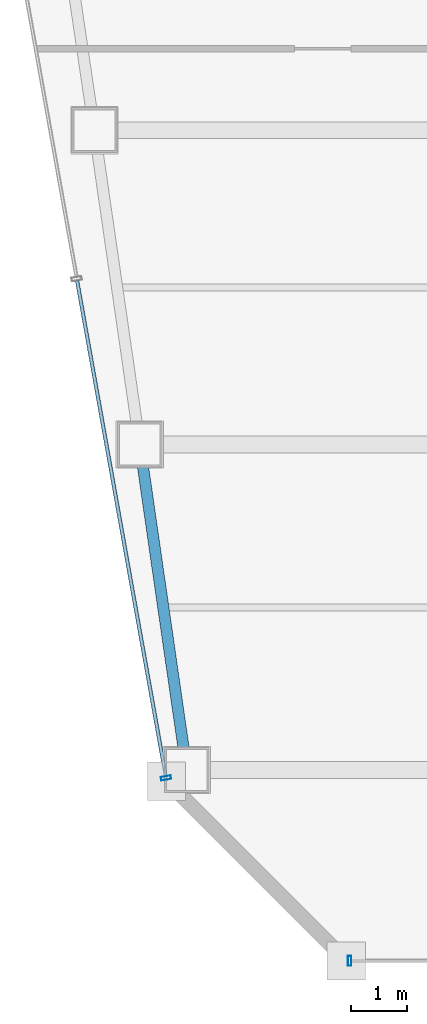
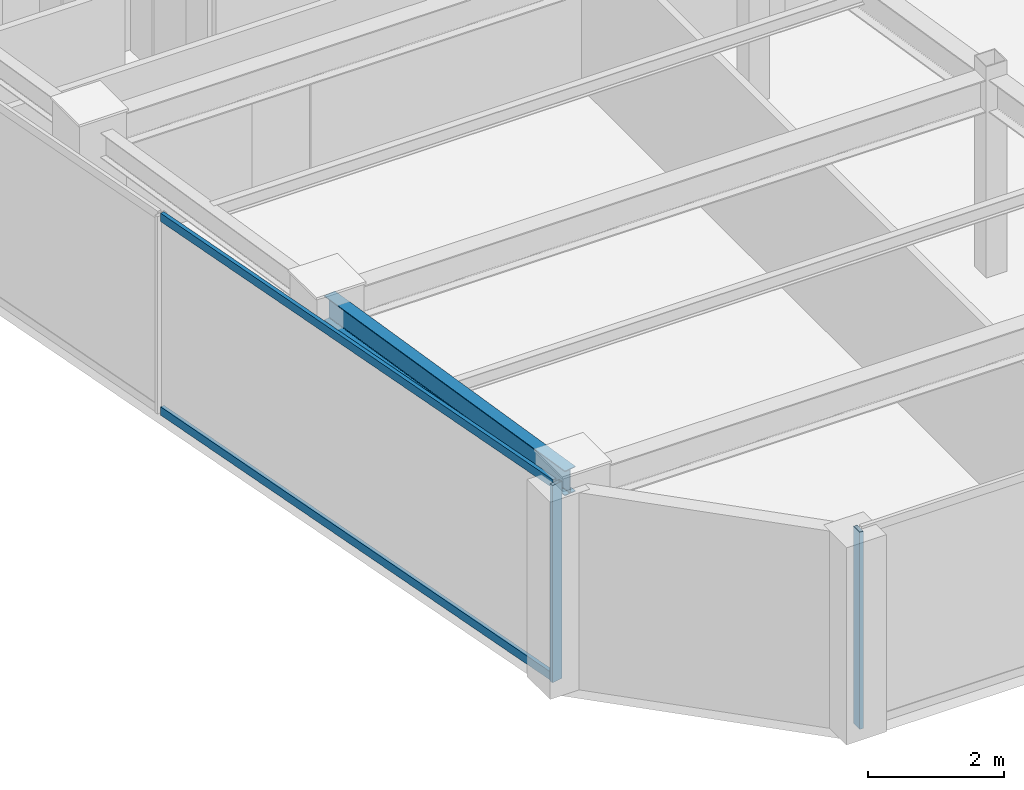
# One storey, part 3 of 32: 4 members, 1 beam, 2 elements without a shape of their own.
"""IFC4 building model written with IfcOpenShell, lengths in metres."""

from ifc_helpers import new_model, si_unit, direction, frame, origin, origin_2d, place, context, subcontext, project, spatial, hollow_rectangle, i_section, extrude, material, material_profile, profile_set, type_object, element, aggregate, save


model = new_model("IFC4")

# Units and contexts
model_context = context("Model", 3, precision=1e-05, world=origin(), true_north=direction((0.0, 1.0)))
body_context = subcontext(model_context, "Body", "Model", "MODEL_VIEW")
ifc_project = project(units=[si_unit("LENGTHUNIT", "METRE"), si_unit("AREAUNIT", "SQUARE_METRE"), si_unit("VOLUMEUNIT", "CUBIC_METRE"), si_unit("PLANEANGLEUNIT", "RADIAN"), si_unit("MASSUNIT", "GRAM", prefix="KILO")], contexts=[model_context])

# Site, building, storey
site_placement = place(None, origin())
site = spatial("IfcSite", under=ifc_project, at=site_placement, CompositionType="ELEMENT")
building_placement = place(site_placement, origin())
building = spatial("IfcBuilding", under=site, at=building_placement, Name="Saevonmaru Cultural Tower", CompositionType="ELEMENT")
storey_placement = place(building_placement, frame((0.0, 0.0, 257.199951171875)))
storey = spatial("IfcBuildingStorey", under=building, at=storey_placement, Name="L60", CompositionType="ELEMENT", Elevation=257.199951171875)

# Beam
ifc_material_1 = material(Name="Steel SM355", Category="steel")
ifc_material_profile_1 = material_profile(ifc_material_1, i_section(OverallWidth=0.199951171875, OverallDepth=0.449951171875, WebThickness=0.009033203125, FlangeThickness=0.013916015625, FilletRadius=0.01806640625, at=origin_2d()), Name="H-450x200x9x14")
ifc_profile_set_1 = profile_set([ifc_material_profile_1], Name="Steel SM355")
beam_type = type_object("IfcBeamType", Name="BM-SP-H450", PredefinedType="SPANDREL", material=ifc_profile_set_1)
beam_placement = place(storey_placement, frame((9.1455078125, 26.259521484375, 3.324951171875), z_axis=(-0.142826510921, 0.989747739466, 0.0), x_axis=(-0.989747739466, -0.142826510921, 0.0)))
element("IfcBeam", 1, at=beam_placement, inside=storey, type_object=beam_type, Name="L60 West Splayed Spandrel 1", PredefinedType="SPANDREL", context=body_context, shape_type="SweptSolid", body=[
    extrude(i_section(OverallWidth=0.199951171875, OverallDepth=0.449951171875, WebThickness=0.009033203125, FlangeThickness=0.013916015625, FilletRadius=0.01806640625, at=origin_2d()), origin(), (0.0, 0.0, 1.0), 5.739990234375),
])

# Curtain wall, member
ifc_material_2 = material(Name="Satin Bronze Anodised Aluminium", Category="aluminium")
curtain_wall_type = type_object("IfcCurtainWallType", Name="CW-TYP-B", PredefinedType="NOTDEFINED", material=ifc_material_2)
curtain_wall_1_placement = place(storey_placement, origin())
curtain_wall_1 = element("IfcCurtainWall", 2, at=curtain_wall_1_placement, inside=storey, type_object=curtain_wall_type, Name="L60 Unitised Curtain Wall E2", PredefinedType="NOTDEFINED")
ifc_material_profile_2 = material_profile(ifc_material_2, hollow_rectangle(XDim=0.06494140625, YDim=0.179931640625, WallThickness=0.00390625, at=origin_2d()), Name="ALU-MULL-180x65x4")
ifc_profile_set_2 = profile_set([ifc_material_profile_2], Name="Satin Bronze Anodised Aluminium")
member_type_1 = type_object("IfcMemberType", Name="ML-CW-180x65", PredefinedType="MULLION", material=ifc_profile_set_2)
member_1_placement = place(storey_placement, frame((12.0556640625, 22.800048828125, 0.0), z_axis=(0.0, 0.0, 1.0), x_axis=(1.0, 0.0, 0.0)))
member_1 = element("IfcMember", 3, at=member_1_placement, type_object=member_type_1, Name="CW-TW-L60-E2 mullion 1", PredefinedType="MULLION", context=body_context, shape_type="SweptSolid", body=[
    extrude(hollow_rectangle(XDim=0.06494140625, YDim=0.179931640625, WallThickness=0.00390625, at=origin_2d()), origin(), (0.0, 0.0, 1.0), 3.550048828125),
])
aggregate(curtain_wall_1, [member_1])

# Curtain wall, members
curtain_wall_2_placement = place(storey_placement, origin())
curtain_wall_2 = element("IfcCurtainWall", 4, at=curtain_wall_2_placement, inside=storey, type_object=curtain_wall_type, Name="L60 Unitised Curtain Wall E12", PredefinedType="NOTDEFINED")
member_2_placement = place(storey_placement, frame((8.784912109375, 26.05908203125, 0.0), z_axis=(0.0, 0.0, 1.0), x_axis=(0.176140740755, -0.984364993001, 0.0)))
member_2 = element("IfcMember", 5, at=member_2_placement, type_object=member_type_1, Name="CW-TW-L60-E12 mullion 4", PredefinedType="MULLION", context=body_context, shape_type="SweptSolid", body=[
    extrude(hollow_rectangle(XDim=0.06494140625, YDim=0.179931640625, WallThickness=0.00390625, at=origin_2d()), origin(), (0.0, 0.0, 1.0), 3.550048828125),
])
ifc_material_profile_3 = material_profile(ifc_material_2, hollow_rectangle(XDim=0.06494140625, YDim=0.14990234375, WallThickness=0.00390625, at=origin_2d()), Name="ALU-TRAN-150x65x4")
ifc_profile_set_3 = profile_set([ifc_material_profile_3], Name="Satin Bronze Anodised Aluminium")
member_type_2 = type_object("IfcMemberType", Name="TR-CW-150x65", PredefinedType="USERDEFINED", material=ifc_profile_set_3)
member_3_placement = place(storey_placement, frame((7.19921875, 34.921142578125, 0.032470703125), z_axis=(0.176144810911, -0.984364264685, 0.0), x_axis=(0.984364264685, 0.176144810911, 0.0)))
member_3 = element("IfcMember", 6, at=member_3_placement, type_object=member_type_2, Name="CW-TW-L60-E12 transom 3.1", ObjectType="TRANSOM", PredefinedType="USERDEFINED", context=body_context, shape_type="SweptSolid", body=[
    extrude(hollow_rectangle(XDim=0.06494140625, YDim=0.14990234375, WallThickness=0.00390625, at=origin_2d()), origin(), (0.0, 0.0, 1.0), 8.97021484375),
])
member_4_placement = place(storey_placement, frame((7.19921875, 34.921142578125, 3.517578125), z_axis=(0.176144810911, -0.984364264685, 0.0), x_axis=(0.984364264685, 0.176144810911, 0.0)))
member_4 = element("IfcMember", 7, at=member_4_placement, type_object=member_type_2, Name="CW-TW-L60-E12 transom 3.2", ObjectType="TRANSOM", PredefinedType="USERDEFINED", context=body_context, shape_type="SweptSolid", body=[
    extrude(hollow_rectangle(XDim=0.06494140625, YDim=0.14990234375, WallThickness=0.00390625, at=origin_2d()), origin(), (0.0, 0.0, 1.0), 8.97021484375),
])
aggregate(curtain_wall_2, [member_2, member_3, member_4])

save(model, "model.ifc")
